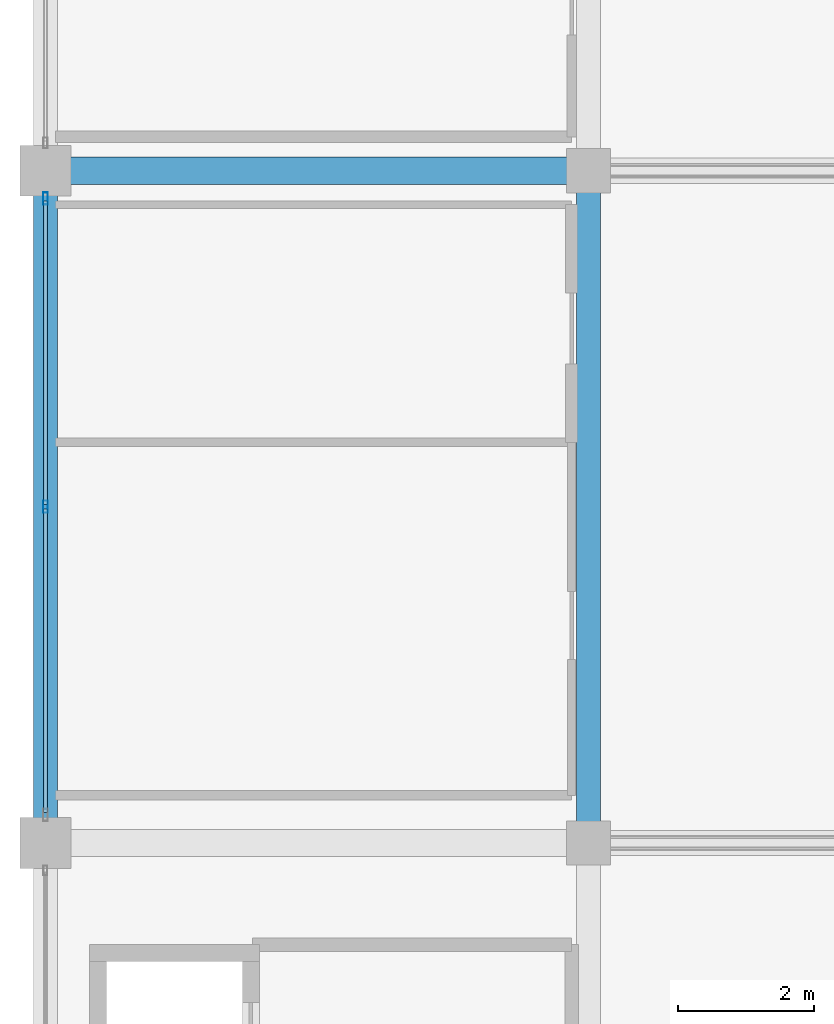
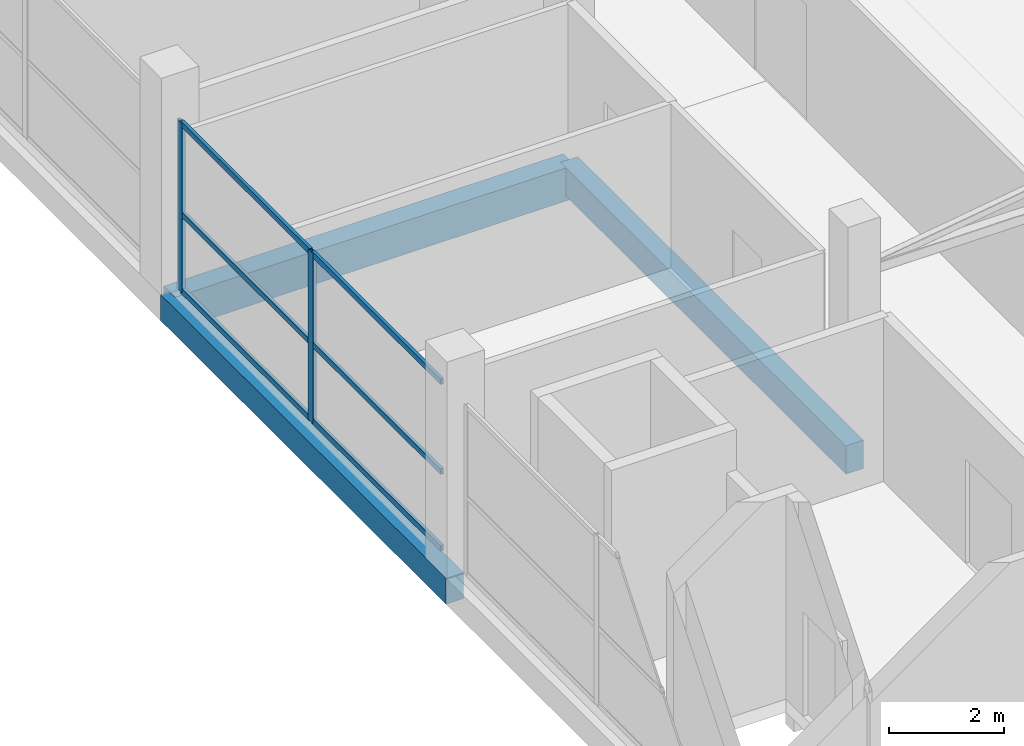
# One storey, part 20 of 69: 8 members, 3 beams, 1 element without a shape of its own.
"""IFC4 building model written with IfcOpenShell, lengths in metres."""

from ifc_helpers import new_model, si_unit, direction, frame, origin, origin_2d, place, context, subcontext, project, spatial, rectangle, hollow_rectangle, extrude, material, layer, layer_set, material_profile, profile_set, type_object, element, aggregate, save


model = new_model("IFC4")

# Units and contexts
model_context = context("Model", 3, precision=1e-05, world=origin(), true_north=direction((0.0, 1.0)))
body_context = subcontext(model_context, "Body", "Model", "MODEL_VIEW")
ifc_project = project(units=[si_unit("LENGTHUNIT", "METRE"), si_unit("AREAUNIT", "SQUARE_METRE"), si_unit("VOLUMEUNIT", "CUBIC_METRE"), si_unit("PLANEANGLEUNIT", "RADIAN"), si_unit("MASSUNIT", "GRAM", prefix="KILO")], contexts=[model_context])

# Site, building, storey
site_placement = place(None, origin())
site = spatial("IfcSite", under=ifc_project, at=site_placement, CompositionType="ELEMENT")
building_placement = place(site_placement, origin())
building = spatial("IfcBuilding", under=site, at=building_placement, Name="Sillaruma Civic Art Gallery", CompositionType="ELEMENT")
storey_placement = place(building_placement, frame((0.0, 0.0, 42.330078125)))
storey = spatial("IfcBuildingStorey", under=building, at=storey_placement, Name="L08", CompositionType="ELEMENT", Elevation=42.330078125)

# Beams
ifc_material_1 = material(Name="Concrete H35 (35 MPa)", Category="concrete")
ifc_material_profile_1 = material_profile(ifc_material_1, rectangle(XDim=0.35009765625, YDim=0.60009765625, at=origin_2d()), Name="RCB350x600")
ifc_profile_set_1 = profile_set([ifc_material_profile_1], Name="Concrete H35 (35 MPa)")
beam_type_1 = type_object("IfcBeamType", Name="BM-BEAM-RCB350x600", PredefinedType="BEAM", material=ifc_profile_set_1)
beam_1_placement = place(storey_placement, frame((70.0, 49.5, -0.580078125), z_axis=(0.0, 1.0, 0.0), x_axis=(-1.0, 0.0, 0.0)))
element("IfcBeam", 1, at=beam_1_placement, inside=storey, type_object=beam_type_1, Name="Beam BM-06 (L07:G:6-7)", PredefinedType="BEAM", context=body_context, shape_type="SweptSolid", body=[
    extrude(rectangle(XDim=0.35009765625, YDim=0.60009765625, at=origin_2d()), origin(), (0.0, 0.0, 1.0), 9.89990234375),
])
ifc_material_profile_2 = material_profile(ifc_material_1, rectangle(XDim=0.39990234375, YDim=0.699951171875, at=origin_2d()), Name="RCB400x700")
ifc_profile_set_2 = profile_set([ifc_material_profile_2], Name="Concrete H35 (35 MPa)")
beam_type_2 = type_object("IfcBeamType", Name="BM-BEAM-RCB400x700", PredefinedType="BEAM", material=ifc_profile_set_2)
beam_2_placement = place(storey_placement, frame((62.0, 59.39990234375, -0.630126953125), z_axis=(1.0, 0.0, 0.0), x_axis=(0.0, 1.0, 0.0)))
element("IfcBeam", 2, at=beam_2_placement, inside=storey, type_object=beam_type_2, Name="Beam BM-04 (L07:7:F-G)", PredefinedType="BEAM", context=body_context, shape_type="SweptSolid", body=[
    extrude(rectangle(XDim=0.39990234375, YDim=0.699951171875, at=origin_2d()), origin(), (0.0, 0.0, 1.0), 8.0),
])
ifc_material_profile_3 = material_profile(ifc_material_1, rectangle(XDim=0.35009765625, YDim=0.550048828125, at=origin_2d()), Name="RCB350x550")
ifc_profile_set_3 = profile_set([ifc_material_profile_3], Name="Concrete H35 (35 MPa)")
beam_type_3 = type_object("IfcBeamType", Name="BM-SPANDREL-RCB350x550", PredefinedType="SPANDREL", material=ifc_profile_set_3)
beam_3_placement = place(storey_placement, frame((62.0, 49.5, -0.55517578125), z_axis=(0.0, 1.0, 0.0), x_axis=(-1.0, 0.0, 0.0)))
element("IfcBeam", 3, at=beam_3_placement, inside=storey, type_object=beam_type_3, Name="Beam BS-04 (L07:F:6-7)", PredefinedType="SPANDREL", context=body_context, shape_type="SweptSolid", body=[
    extrude(rectangle(XDim=0.35009765625, YDim=0.550048828125, at=origin_2d()), origin(), (0.0, 0.0, 1.0), 9.89990234375),
])

# Curtain wall, members
ifc_material_2 = material(Name="Thermally Broken Extruded Aluminium 6063-T6", Category="aluminium")
ifc_layer = layer(ifc_material_2, 0.179931640625, Name="Thermally Broken Extruded Aluminium 6063-T6")
ifc_layer_set = layer_set([ifc_layer], Name="Thermally Broken Extruded Aluminium 6063-T6")
curtain_wall_type = type_object("IfcCurtainWallType", Name="CW-UNI-55", PredefinedType="NOTDEFINED", material=ifc_layer_set)
curtain_wall_placement = place(storey_placement, origin())
curtain_wall = element("IfcCurtainWall", 4, at=curtain_wall_placement, inside=storey, type_object=curtain_wall_type, Name="Unitised Curtain Wall CW-55 (CW-L08-WBW-4)", PredefinedType="NOTDEFINED")
ifc_material_profile_4 = material_profile(ifc_material_2, hollow_rectangle(XDim=0.070068359375, YDim=0.179931640625, WallThickness=0.00390625, at=origin_2d()), Name="CWM70x180")
ifc_profile_set_4 = profile_set([ifc_material_profile_4], Name="Thermally Broken Extruded Aluminium 6063-T6")
member_type_1 = type_object("IfcMemberType", Name="MEM-MUL-CWM70x180", PredefinedType="MULLION", material=ifc_profile_set_4)
member_1_placement = place(storey_placement, frame((62.0, 54.449951171875, 0.0), z_axis=(0.0, 0.0, 1.0), x_axis=(-1.0, 0.0, 0.0)))
member_1 = element("IfcMember", 5, at=member_1_placement, type_object=member_type_1, Name="CW-55 mullion 2", PredefinedType="MULLION", context=body_context, shape_type="SweptSolid", body=[
    extrude(hollow_rectangle(XDim=0.070068359375, YDim=0.179931640625, WallThickness=0.00390625, at=origin_2d()), origin(), (0.0, 0.0, 1.0), 3.58984375),
])
member_2_placement = place(storey_placement, frame((62.0, 58.989990234375, 0.0), z_axis=(0.0, 0.0, 1.0), x_axis=(-1.0, 0.0, 0.0)))
member_2 = element("IfcMember", 6, at=member_2_placement, type_object=member_type_1, Name="CW-55 mullion 3", PredefinedType="MULLION", context=body_context, shape_type="SweptSolid", body=[
    extrude(hollow_rectangle(XDim=0.070068359375, YDim=0.179931640625, WallThickness=0.00390625, at=origin_2d()), origin(), (0.0, 0.0, 1.0), 3.58984375),
])
ifc_material_profile_5 = material_profile(ifc_material_2, hollow_rectangle(XDim=0.06494140625, YDim=0.1201171875, WallThickness=0.00341796875, at=origin_2d()), Name="CWT65x120")
ifc_profile_set_5 = profile_set([ifc_material_profile_5], Name="Thermally Broken Extruded Aluminium 6063-T6")
member_type_2 = type_object("IfcMemberType", Name="MEM-TRN-CWT65x120", PredefinedType="USERDEFINED", material=ifc_profile_set_5)
member_3_placement = place(storey_placement, frame((62.0, 49.945068359375, 0.032470703125), z_axis=(0.0, 1.0, 0.0), x_axis=(-1.0, 0.0, 0.0)))
member_3 = element("IfcMember", 7, at=member_3_placement, type_object=member_type_2, Name="CW-55 transom 1.1", ObjectType="TRANSOM", PredefinedType="USERDEFINED", context=body_context, shape_type="SweptSolid", body=[
    extrude(hollow_rectangle(XDim=0.06494140625, YDim=0.1201171875, WallThickness=0.00341796875, at=origin_2d()), origin(), (0.0, 0.0, 1.0), 4.469970703125),
])
member_4_placement = place(storey_placement, frame((62.0, 49.945068359375, 1.6513671875), z_axis=(0.0, 1.0, 0.0), x_axis=(-1.0, 0.0, 0.0)))
member_4 = element("IfcMember", 8, at=member_4_placement, type_object=member_type_2, Name="CW-55 transom 1.2", ObjectType="TRANSOM", PredefinedType="USERDEFINED", context=body_context, shape_type="SweptSolid", body=[
    extrude(hollow_rectangle(XDim=0.06494140625, YDim=0.1201171875, WallThickness=0.00341796875, at=origin_2d()), origin(), (0.0, 0.0, 1.0), 4.469970703125),
])
member_5_placement = place(storey_placement, frame((62.0, 49.945068359375, 3.557373046875), z_axis=(0.0, 1.0, 0.0), x_axis=(-1.0, 0.0, 0.0)))
member_5 = element("IfcMember", 9, at=member_5_placement, type_object=member_type_2, Name="CW-55 transom 1.3", ObjectType="TRANSOM", PredefinedType="USERDEFINED", context=body_context, shape_type="SweptSolid", body=[
    extrude(hollow_rectangle(XDim=0.06494140625, YDim=0.1201171875, WallThickness=0.00341796875, at=origin_2d()), origin(), (0.0, 0.0, 1.0), 4.469970703125),
])
member_6_placement = place(storey_placement, frame((62.0, 54.485107421875, 0.032470703125), z_axis=(0.0, 1.0, 0.0), x_axis=(-1.0, 0.0, 0.0)))
member_6 = element("IfcMember", 10, at=member_6_placement, type_object=member_type_2, Name="CW-55 transom 2.1", ObjectType="TRANSOM", PredefinedType="USERDEFINED", context=body_context, shape_type="SweptSolid", body=[
    extrude(hollow_rectangle(XDim=0.06494140625, YDim=0.1201171875, WallThickness=0.00341796875, at=origin_2d()), origin(), (0.0, 0.0, 1.0), 4.469970703125),
])
member_7_placement = place(storey_placement, frame((62.0, 54.485107421875, 1.6513671875), z_axis=(0.0, 1.0, 0.0), x_axis=(-1.0, 0.0, 0.0)))
member_7 = element("IfcMember", 11, at=member_7_placement, type_object=member_type_2, Name="CW-55 transom 2.2", ObjectType="TRANSOM", PredefinedType="USERDEFINED", context=body_context, shape_type="SweptSolid", body=[
    extrude(hollow_rectangle(XDim=0.06494140625, YDim=0.1201171875, WallThickness=0.00341796875, at=origin_2d()), origin(), (0.0, 0.0, 1.0), 4.469970703125),
])
member_8_placement = place(storey_placement, frame((62.0, 54.485107421875, 3.557373046875), z_axis=(0.0, 1.0, 0.0), x_axis=(-1.0, 0.0, 0.0)))
member_8 = element("IfcMember", 12, at=member_8_placement, type_object=member_type_2, Name="CW-55 transom 2.3", ObjectType="TRANSOM", PredefinedType="USERDEFINED", context=body_context, shape_type="SweptSolid", body=[
    extrude(hollow_rectangle(XDim=0.06494140625, YDim=0.1201171875, WallThickness=0.00341796875, at=origin_2d()), origin(), (0.0, 0.0, 1.0), 4.469970703125),
])
aggregate(curtain_wall, [member_1, member_2, member_3, member_4, member_5, member_6, member_7, member_8])

save(model, "model.ifc")
